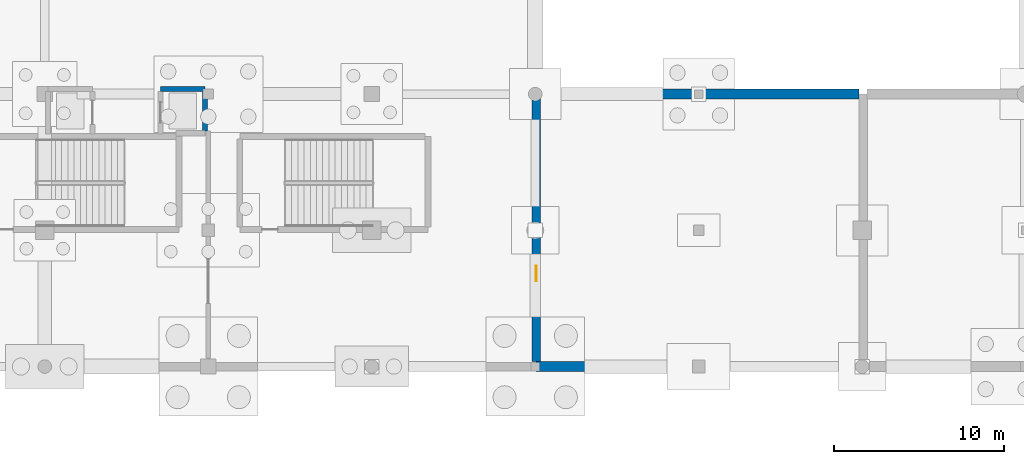
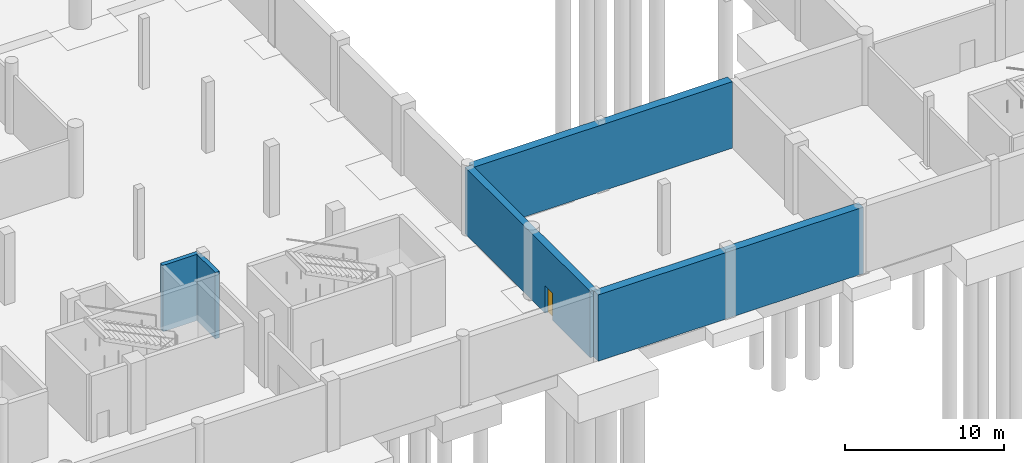
# One storey, part 20 of 44: 5 walls, 1 door, 1 opening.
"""IFC4 building model written with IfcOpenShell, lengths in metres."""

from ifc_helpers import new_model, si_unit, direction, frame, frame_2d, origin, place, context, subcontext, project, spatial, rectangle, extrude, material, layer, layer_set, type_object, element, fill, save


model = new_model("IFC4")

# Units and contexts
model_context = context("Model", 3, precision=1e-05, world=origin(), true_north=direction((0.0, 1.0)))
body_context = subcontext(model_context, "Body", "Model", "MODEL_VIEW")
ifc_project = project(units=[si_unit("LENGTHUNIT", "METRE"), si_unit("AREAUNIT", "SQUARE_METRE"), si_unit("VOLUMEUNIT", "CUBIC_METRE"), si_unit("PLANEANGLEUNIT", "RADIAN"), si_unit("MASSUNIT", "GRAM", prefix="KILO")], contexts=[model_context])

# Site, building, storey
site_placement = place(None, origin())
site = spatial("IfcSite", under=ifc_project, at=site_placement, CompositionType="ELEMENT")
building_placement = place(site_placement, origin())
building = spatial("IfcBuilding", under=site, at=building_placement, Name="Danafjord Basin Convention Centre", CompositionType="ELEMENT")
storey_placement = place(building_placement, frame((0.0, 0.0, -5.39990234375)))
storey = spatial("IfcBuildingStorey", under=building, at=storey_placement, Name="B1", CompositionType="ELEMENT", Elevation=-5.39990234375)

# Walls
ifc_material_1 = material(Name="Concrete C40/50", Category="concrete")
ifc_layer_1 = layer(ifc_material_1, 0.300048828125)
ifc_layer_set_1 = layer_set([ifc_layer_1], Name="Concrete C40/50")
wall_type_1 = type_object("IfcWallType", Name="WALL-CW-CORE300", PredefinedType="SHEAR", material=ifc_layer_set_1)
wall_1_placement = place(storey_placement, frame((95.800048828125, 24.300048828125, 0.0), z_axis=(0.0, 0.0, 1.0), x_axis=(-1.0, 0.0, 0.0)))
element("IfcWall", 1, at=wall_1_placement, inside=storey, type_object=wall_type_1, Name="Lift LF-P02 shaft shear wall", PredefinedType="SHEAR", context=body_context, shape_type="SweptSolid", body=[
    extrude(rectangle(XDim=2.60009765625, YDim=0.300048828125, at=frame_2d((1.300048828125, 0.0))), origin(), (0.0, 0.0, 1.0), 5.08984375),
])
wall_2_placement = place(storey_placement, frame((95.800048828125, 21.8349609375, 0.0), z_axis=(0.0, 0.0, 1.0), x_axis=(0.0, 1.0, 0.0)))
element("IfcWall", 2, at=wall_2_placement, inside=storey, type_object=wall_type_1, Name="Lift LF-P02 shaft shear wall", PredefinedType="SHEAR", context=body_context, shape_type="SweptSolid", body=[
    extrude(rectangle(XDim=2.330078125, YDim=0.300048828125, at=frame_2d((1.1650390625, 0.0))), origin(), (0.0, 0.0, 1.0), 5.08984375),
])

# Wall, opening, door
ifc_layer_2 = layer(ifc_material_1, 0.5)
ifc_layer_set_2 = layer_set([ifc_layer_2], Name="Concrete C40/50")
wall_type_2 = type_object("IfcWallType", Name="WALL-EW-RET500", PredefinedType="SHEAR", material=ifc_layer_set_2)
wall_3_placement = place(storey_placement, frame((115.25, 8.284912109375, 0.0), z_axis=(0.0, 0.0, 1.0), x_axis=(0.0, 1.0, 0.0)))
wall_3 = element("IfcWall", 3, at=wall_3_placement, inside=storey, type_object=wall_type_2, Name="B1 waterproofed basement retaining wall 18", PredefinedType="SHEAR", context=body_context, shape_type="SweptSolid", body=[
    extrude(rectangle(XDim=15.715087890625, YDim=0.5, at=frame_2d((7.857421875, 0.0))), origin(), (0.0, 0.0, 1.0), 5.08984375),
])
opening_placement = place(wall_3_placement, frame((4.738037109375, 0.0, 0.0)))
opening = element("IfcOpeningElement", 4, at=opening_placement, cuts=wall_3, Name="Opening FD-S01", PredefinedType="OPENING", context=body_context, shape_type="SweptSolid", body=[
    extrude(rectangle(XDim=0.909912109375, YDim=2.080078125, at=frame_2d((0.455078125, 1.0400390625))), frame((0.0, 0.260009765625, 0.0), z_axis=(0.0, -1.0, 0.0), x_axis=(1.0, 0.0, 0.0)), (0.0, 0.0, 1.0), 0.52001953125),
])
ifc_material_2 = material(Name="Powder-coated steel and Nordic oak", Category="steel")
door_type = type_object("IfcDoorType", Name="DOOR-FD-S01", OperationType="NOTDEFINED", PredefinedType="DOOR", material=ifc_material_2)
door_placement = place(opening_placement, origin())
door = element("IfcDoor", 5, at=door_placement, inside=storey, type_object=door_type, Name="Basement Service Yard Spine Fire Door", OperationType="SINGLE_SWING_RIGHT", OverallHeight=2.080078125, OverallWidth=0.909912109375, PredefinedType="DOOR", context=body_context, shape_type="SweptSolid", body=[
    extrude(rectangle(XDim=0.909912109375, YDim=2.080078125, at=frame_2d((0.455078125, 1.0400390625))), frame((0.0, 0.02490234375, 0.0), z_axis=(0.0, -1.0, 0.0), x_axis=(1.0, 0.0, 0.0)), (0.0, 0.0, 1.0), 0.050048828125),
])
fill(opening, door)

# Walls
ifc_layer_3 = layer(ifc_material_1, 0.60009765625)
ifc_layer_set_3 = layer_set([ifc_layer_3], Name="Concrete C40/50")
wall_type_3 = type_object("IfcWallType", Name="WALL-EW-RET600", PredefinedType="SHEAR", material=ifc_layer_set_3)
wall_4_placement = place(storey_placement, frame((134.469970703125, 8.0, 0.0), z_axis=(0.0, 0.0, 1.0), x_axis=(-1.0, 0.0, 0.0)))
element("IfcWall", 6, at=wall_4_placement, inside=storey, type_object=wall_type_3, Name="B1 waterproofed basement retaining wall 17", PredefinedType="SHEAR", context=body_context, shape_type="SweptSolid", body=[
    extrude(rectangle(XDim=19.219970703125, YDim=0.60009765625, at=frame_2d((9.60986328125, 0.0))), origin(), (0.0, 0.0, 1.0), 5.08984375),
])
wall_5_placement = place(storey_placement, frame((115.485107421875, 24.0, 0.0), z_axis=(0.0, 0.0, 1.0), x_axis=(1.0, 0.0, 0.0)))
element("IfcWall", 7, at=wall_5_placement, inside=storey, type_object=wall_type_3, Name="B1 waterproofed basement retaining wall 19", PredefinedType="SHEAR", context=body_context, shape_type="SweptSolid", body=[
    extrude(rectangle(XDim=18.73486328125, YDim=0.60009765625, at=frame_2d((9.367431640625, 0.0))), origin(), (0.0, 0.0, 1.0), 5.08984375),
])

save(model, "model.ifc")
